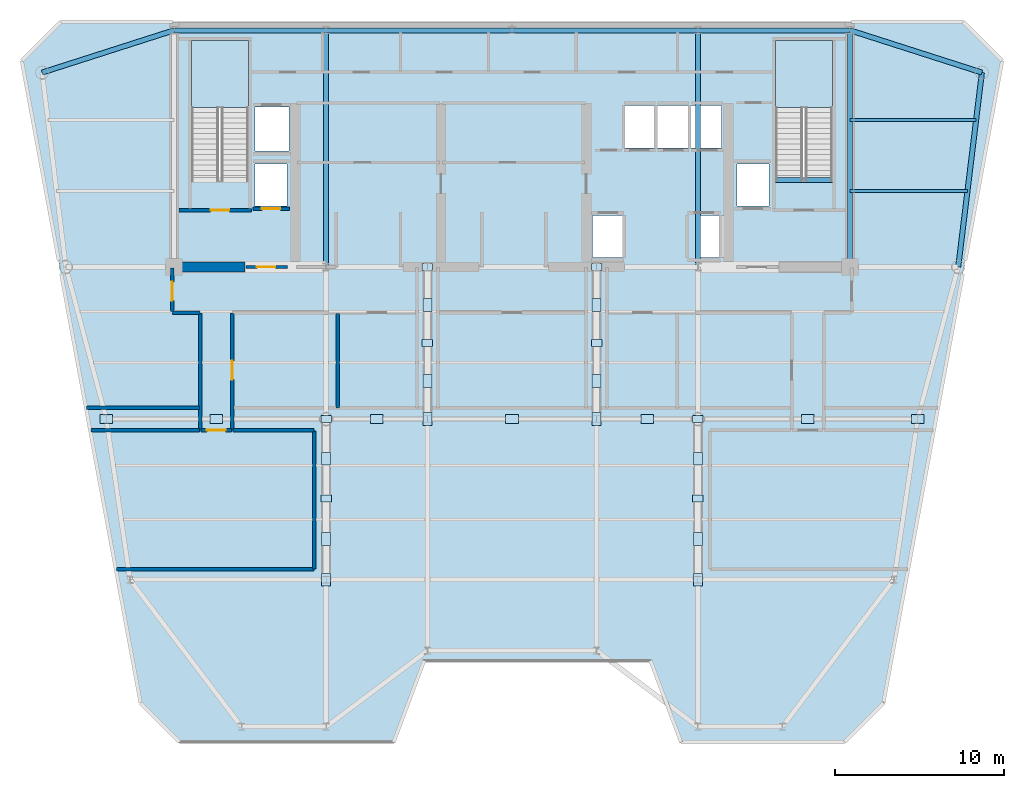
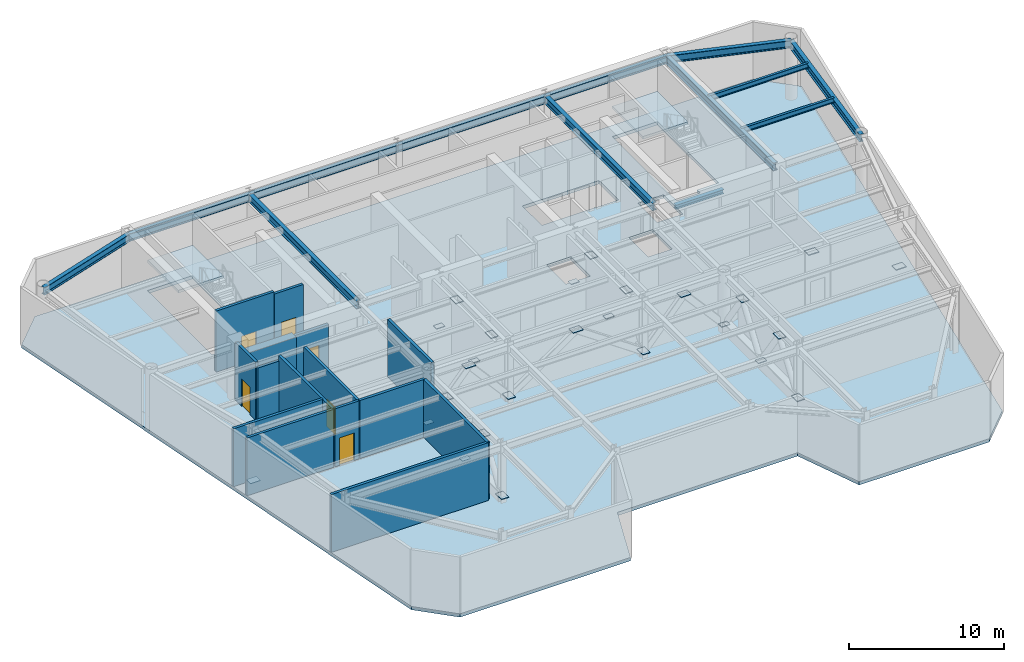
# One storey, part 3 of 9: 27 plates, 15 walls, 13 beams, 6 doors, 3 slabs, 6 openings, 2 elements without a shape of their own.
"""IFC4 building model written with IfcOpenShell, lengths in metres."""

from ifc_helpers import new_model, si_unit, direction, frame, frame_2d, origin, origin_2d, place, context, subcontext, project, spatial, polyline, rectangle, i_section, outline, extrude, source, transform, mapped, material, layer, layer_set, material_profile, profile_set, type_object, element, fill, aggregate, save


model = new_model("IFC4")

# Units and contexts
model_context = context("Model", 3, precision=1e-05, world=origin(), true_north=direction((0.0, 1.0)))
body_context = subcontext(model_context, "Body", "Model", "MODEL_VIEW")
ifc_project = project(units=[si_unit("LENGTHUNIT", "METRE"), si_unit("AREAUNIT", "SQUARE_METRE"), si_unit("VOLUMEUNIT", "CUBIC_METRE"), si_unit("PLANEANGLEUNIT", "RADIAN"), si_unit("MASSUNIT", "GRAM", prefix="KILO")], contexts=[model_context])

# Site, building, storey
site_placement = place(None, origin())
site = spatial("IfcSite", under=ifc_project, at=site_placement, CompositionType="ELEMENT")
building_placement = place(site_placement, origin())
building = spatial("IfcBuilding", under=site, at=building_placement, Name="Vaeldorn Concourse Tower", CompositionType="ELEMENT")
storey_placement = place(building_placement, frame((0.0, 0.0, 218.39990234375)))
storey = spatial("IfcBuildingStorey", under=building, at=storey_placement, Name="L56", CompositionType="ELEMENT", Elevation=218.39990234375)

# Beams
ifc_material_1 = material(Name="Steel S355", Category="steel")
ifc_material_profile_1 = material_profile(ifc_material_1, i_section(OverallWidth=0.300048828125, OverallDepth=0.340087890625, WebThickness=0.011962890625, FlangeThickness=0.021484375, FilletRadius=0.027099609375, at=origin_2d()), Name="HEB 340")
ifc_profile_set_1 = profile_set([ifc_material_profile_1], Name="Steel S355")
beam_type_1 = type_object("IfcBeamType", Name="BM-ST-TRIM", PredefinedType="BEAM", material=ifc_profile_set_1)
shared_shape_1 = source(origin(), body_context, "Body", "SweptSolid", [
    extrude(i_section(OverallWidth=0.300048828125, OverallDepth=0.340087890625, WebThickness=0.011962890625, FlangeThickness=0.021484375, FilletRadius=0.027099609375, at=origin_2d()), origin(), (0.0, 0.0, 1.0), 3.590087890625),
])
beam_1_placement = place(storey_placement, frame((49.47998046875, 41.639892578125, -0.429931640625), z_axis=(1.0, 0.0, 0.0), x_axis=(0.0, 1.0, 0.0)))
element("IfcBeam", 1, at=beam_1_placement, inside=storey, type_object=beam_type_1, Name="Stair Landing Trimmer Beam ST-2 L56", PredefinedType="BEAM", context=body_context, shape_type="MappedRepresentation", body=[
    mapped(shared_shape_1, transform((0.0, 0.0, 0.0), scale=1.0)),
])
ifc_material_profile_2 = material_profile(ifc_material_1, i_section(OverallWidth=0.300048828125, OverallDepth=0.60009765625, WebThickness=0.015380859375, FlangeThickness=0.030029296875, FilletRadius=0.027099609375, at=origin_2d()), Name="HEB 600")
ifc_profile_set_2 = profile_set([ifc_material_profile_2], Name="Steel S355")
beam_type_2 = type_object("IfcBeamType", Name="BM-PG-HEB600", PredefinedType="BEAM", material=ifc_profile_set_2)
shared_shape_2 = source(origin(), body_context, "Body", "SweptSolid", [
    extrude(i_section(OverallWidth=0.300048828125, OverallDepth=0.60009765625, WebThickness=0.015380859375, FlangeThickness=0.030029296875, FilletRadius=0.027099609375, at=origin_2d()), origin(), (0.0, 0.0, 1.0), 9.0),
])
for number, where, z_axis, x_axis, name in (
    (2, (14.0, 50.5, 4.239990234375), (1.0, 0.0, 0.0), (0.0, 1.0, 0.0), "Beam BM-L56-C-HC1-C-HC2"),
    (3, (45.0, 50.5, 4.239990234375), (1.0, 0.0, 0.0), (0.0, 1.0, 0.0), "Beam BM-L56-C-HC4-C-HC5"),
):
    element("IfcBeam", number, at=place(storey_placement, frame(where, z_axis=z_axis, x_axis=x_axis)), inside=storey, type_object=beam_type_2, Name=name, PredefinedType="BEAM", context=body_context, shape_type="MappedRepresentation", body=[
        mapped(shared_shape_2, transform((0.0, 0.0, 0.0), scale=1.0)),
    ])
shared_shape_3 = source(origin(), body_context, "Body", "SweptSolid", [
    extrude(i_section(OverallWidth=0.300048828125, OverallDepth=0.60009765625, WebThickness=0.015380859375, FlangeThickness=0.030029296875, FilletRadius=0.027099609375, at=origin_2d()), origin(), (0.0, 0.0, 1.0), 11.0),
])
for number, where, z_axis, x_axis, name in (
    (4, (23.0, 50.5, 4.239990234375), (1.0, 0.0, 0.0), (0.0, 1.0, 0.0), "Beam BM-L56-C-HC2-C-HC3"),
    (5, (34.0, 50.5, 4.239990234375), (1.0, 0.0, 0.0), (0.0, 1.0, 0.0), "Beam BM-L56-C-HC3-C-HC4"),
):
    element("IfcBeam", number, at=place(storey_placement, frame(where, z_axis=z_axis, x_axis=x_axis)), inside=storey, type_object=beam_type_2, Name=name, PredefinedType="BEAM", context=body_context, shape_type="MappedRepresentation", body=[
        mapped(shared_shape_3, transform((0.0, 0.0, 0.0), scale=1.0)),
    ])
shared_shape_4 = source(origin(), body_context, "Body", "SweptSolid", [
    extrude(i_section(OverallWidth=0.300048828125, OverallDepth=0.60009765625, WebThickness=0.015380859375, FlangeThickness=0.030029296875, FilletRadius=0.027099609375, at=origin_2d()), origin(), (0.0, 0.0, 1.0), 14.0),
])
for number, where, z_axis, x_axis, name in (
    (6, (23.0, 36.5, 4.239990234375), (0.0, 1.0, 0.0), (-1.0, 0.0, 0.0), "Beam BM-L56-C-FC2-C-HC2"),
    (7, (45.0, 36.5, 4.239990234375), (0.0, 1.0, 0.0), (-1.0, 0.0, 0.0), "Beam BM-L56-C-FC5-C-HC4"),
    (8, (54.0, 36.5, 4.239990234375), (0.0, 1.0, 0.0), (-1.0, 0.0, 0.0), "Beam BM-L56-C-FC6-C-HC5"),
):
    element("IfcBeam", number, at=place(storey_placement, frame(where, z_axis=z_axis, x_axis=x_axis)), inside=storey, type_object=beam_type_2, Name=name, PredefinedType="BEAM", context=body_context, shape_type="MappedRepresentation", body=[
        mapped(shared_shape_4, transform((0.0, 0.0, 0.0), scale=1.0)),
    ])
shared_shape_5 = source(origin(), body_context, "Body", "SweptSolid", [
    extrude(i_section(OverallWidth=0.300048828125, OverallDepth=0.60009765625, WebThickness=0.015380859375, FlangeThickness=0.030029296875, FilletRadius=0.027099609375, at=origin_2d()), origin(), (0.0, 0.0, 1.0), 8.19091796875),
])
for number, where, z_axis, x_axis, name in (
    (9, (6.199951171875, 48.0, 4.239990234375), (0.952282843383, 0.305216949396, 0.0), (-0.305216949396, 0.952282843383, 0.0), "Beam BM-L56-C-NW1-C-HC1"),
    (10, (54.0, 50.5, 4.239990234375), (0.952282843383, -0.305216949396, 0.0), (0.305216949396, 0.952282843383, 0.0), "Beam BM-L56-C-HC5-C-NE1"),
):
    element("IfcBeam", number, at=place(storey_placement, frame(where, z_axis=z_axis, x_axis=x_axis)), inside=storey, type_object=beam_type_2, Name=name, PredefinedType="BEAM", context=body_context, shape_type="MappedRepresentation", body=[
        mapped(shared_shape_5, transform((0.0, 0.0, 0.0), scale=1.0)),
    ])
shared_shape_6 = source(origin(), body_context, "Body", "SweptSolid", [
    extrude(i_section(OverallWidth=0.300048828125, OverallDepth=0.60009765625, WebThickness=0.015380859375, FlangeThickness=0.030029296875, FilletRadius=0.027099609375, at=origin_2d()), origin(), (0.0, 0.0, 1.0), 11.5849609375),
])
beam_2_placement = place(storey_placement, frame((61.800048828125, 48.0, 4.239990234375), z_axis=(-0.120859382899, -0.992669637677, 0.0), x_axis=(0.992669637677, -0.120859382899, 0.0)))
element("IfcBeam", 11, at=beam_2_placement, inside=storey, type_object=beam_type_2, Name="Beam BM-L56-C-NE1-C-NE2", PredefinedType="BEAM", context=body_context, shape_type="MappedRepresentation", body=[
    mapped(shared_shape_6, transform((0.0, 0.0, 0.0), scale=1.0)),
])
ifc_material_profile_3 = material_profile(ifc_material_1, i_section(OverallWidth=0.179931640625, OverallDepth=0.39990234375, WebThickness=0.008544921875, FlangeThickness=0.013427734375, FilletRadius=0.02099609375, at=origin_2d()), Name="IPE 400")
ifc_profile_set_3 = profile_set([ifc_material_profile_3], Name="Steel S355")
beam_type_3 = type_object("IfcBeamType", Name="BM-JS-IPE400", PredefinedType="JOIST", material=ifc_profile_set_3)
shared_shape_7 = source(origin(), body_context, "Body", "SweptSolid", [
    extrude(i_section(OverallWidth=0.179931640625, OverallDepth=0.39990234375, WebThickness=0.008544921875, FlangeThickness=0.013427734375, FilletRadius=0.02099609375, at=origin_2d()), origin(), (0.0, 0.0, 1.0), 6.94775390625),
])
beam_3_placement = place(storey_placement, frame((54.0, 41.0, 4.340087890625), z_axis=(1.0, 0.0, 0.0), x_axis=(0.0, 1.0, 0.0)))
element("IfcBeam", 12, at=beam_3_placement, inside=storey, type_object=beam_type_3, Name="Beam JS-L56-NE-410", PredefinedType="JOIST", context=body_context, shape_type="MappedRepresentation", body=[
    mapped(shared_shape_7, transform((0.0, 0.0, 0.0), scale=1.0)),
])
shared_shape_8 = source(origin(), body_context, "Body", "SweptSolid", [
    extrude(i_section(OverallWidth=0.179931640625, OverallDepth=0.39990234375, WebThickness=0.008544921875, FlangeThickness=0.013427734375, FilletRadius=0.02099609375, at=origin_2d()), origin(), (0.0, 0.0, 1.0), 7.458984375),
])
beam_4_placement = place(storey_placement, frame((54.0, 45.199951171875, 4.340087890625), z_axis=(1.0, 0.0, 0.0), x_axis=(0.0, 1.0, 0.0)))
element("IfcBeam", 13, at=beam_4_placement, inside=storey, type_object=beam_type_3, Name="Beam JS-L56-NE-452", PredefinedType="JOIST", context=body_context, shape_type="MappedRepresentation", body=[
    mapped(shared_shape_8, transform((0.0, 0.0, 0.0), scale=1.0)),
])

# Stair, slab
ifc_material_2 = material(Name="Precast concrete C40/50", Category="concrete")
stair_type = type_object("IfcStairType", Name="STR-DOG-30x160", PredefinedType="HALF_TURN_STAIR", material=ifc_material_2)
stair_1_placement = place(storey_placement, origin())
stair_1 = element("IfcStair", 14, at=stair_1_placement, inside=storey, type_object=stair_type, Name="L56 West Core Exit Stair ST-1", PredefinedType="HALF_TURN_STAIR")
ifc_material_3 = material(Name="Concrete C40/50", Category="concrete")
ifc_layer_1 = layer(ifc_material_3, 0.199951171875)
ifc_layer_set_1 = layer_set([ifc_layer_1], Name="Concrete C40/50")
slab_type_1 = type_object("IfcSlabType", Name="SL-STAIR-LANDING", PredefinedType="LANDING", material=ifc_layer_set_1)
slab_1_placement = place(storey_placement, frame((0.0, 0.0, 2.2001953125)))
slab_1 = element("IfcSlab", 15, at=slab_1_placement, type_object=slab_type_1, Name="ST-1 landing 1", PredefinedType="LANDING", context=body_context, shape_type="SweptSolid", body=[
    extrude(outline(polyline([(18.39990234375, 45.93994140625), (18.39990234375, 49.89990234375), (15.050048828125, 49.89990234375), (15.050048828125, 45.93994140625), (18.39990234375, 45.93994140625)])), origin(), (0.0, 0.0, 1.0), 0.199951171875),
])
aggregate(stair_1, [slab_1])

stair_2_placement = place(storey_placement, origin())
stair_2 = element("IfcStair", 16, at=stair_2_placement, inside=storey, type_object=stair_type, Name="L56 East Core Exit Stair ST-2", PredefinedType="HALF_TURN_STAIR")
slab_2_placement = place(storey_placement, frame((0.0, 0.0, 2.2001953125)))
slab_2 = element("IfcSlab", 17, at=slab_2_placement, type_object=slab_type_1, Name="ST-2 landing 1", PredefinedType="LANDING", context=body_context, shape_type="SweptSolid", body=[
    extrude(outline(polyline([(52.949951171875, 45.93994140625), (52.949951171875, 49.89990234375), (49.60009765625, 49.89990234375), (49.60009765625, 45.93994140625), (52.949951171875, 45.93994140625)])), origin(), (0.0, 0.0, 1.0), 0.199951171875),
])
aggregate(stair_2, [slab_2])

# Slab
ifc_layer_2 = layer(ifc_material_3, 0.260009765625)
ifc_layer_set_2 = layer_set([ifc_layer_2], Name="Concrete C40/50")
slab_type_2 = type_object("IfcSlabType", Name="SL-TRN-260", PredefinedType="FLOOR", material=ifc_layer_set_2)
slab_3_placement = place(storey_placement, frame((0.0, 0.0, -0.260009765625)))
element("IfcSlab", 18, at=slab_3_placement, inside=storey, type_object=slab_type_2, Name="Structural Floor Slab L56", PredefinedType="FLOOR", context=body_context, shape_type="SweptSolid", body=[
    extrude(outline(polyline([(14.3291015625, 8.39990234375), (27.0, 8.39990234375), (28.800048828125, 13.199951171875), (42.199951171875, 13.199951171875), (44.0, 8.39990234375), (53.6708984375, 8.39990234375), (55.970947265625, 10.699951171875), (63.0, 48.699951171875), (60.699951171875, 51.0), (7.300048828125, 51.0), (5.0, 48.699951171875), (12.029052734375, 10.699951171875), (14.3291015625, 8.39990234375)]), holes=[polyline([(18.39990234375, 42.0), (18.39990234375, 49.89990234375), (15.050048828125, 49.89990234375), (15.050048828125, 41.60009765625), (16.800048828125, 41.60009765625), (16.800048828125, 42.0), (18.39990234375, 42.0)]), polyline([(52.949951171875, 42.0), (52.949951171875, 49.89990234375), (49.60009765625, 49.89990234375), (49.60009765625, 41.60009765625), (51.35009765625, 41.60009765625), (51.35009765625, 42.0), (52.949951171875, 42.0)]), polyline([(38.75, 37.050048828125), (40.550048828125, 37.050048828125), (40.550048828125, 39.550048828125), (38.75, 39.550048828125), (38.75, 37.050048828125)]), polyline([(44.85009765625, 37.050048828125), (46.64990234375, 37.050048828125), (46.64990234375, 39.550048828125), (44.85009765625, 39.550048828125), (44.85009765625, 37.050048828125)]), polyline([(40.699951171875, 43.550048828125), (46.39990234375, 43.550048828125), (46.39990234375, 46.050048828125), (40.699951171875, 46.050048828125), (40.699951171875, 43.550048828125)]), polyline([(18.800048828125, 43.35009765625), (20.800048828125, 43.35009765625), (20.800048828125, 45.949951171875), (18.800048828125, 45.949951171875), (18.800048828125, 43.35009765625)]), polyline([(18.800048828125, 40.10009765625), (20.699951171875, 40.10009765625), (20.699951171875, 42.60009765625), (18.800048828125, 42.60009765625), (18.800048828125, 40.10009765625)]), polyline([(47.300048828125, 40.10009765625), (49.199951171875, 40.10009765625), (49.199951171875, 42.60009765625), (47.300048828125, 42.60009765625), (47.300048828125, 40.10009765625)])]), origin(), (0.0, 0.0, 1.0), 0.260009765625),
])

# Plates
ifc_material_4 = material(Name="Steel S460", Category="steel")
ifc_layer_3 = layer(ifc_material_4, 0.0400390625)
ifc_layer_set_3 = layer_set([ifc_layer_3], Name="Steel S460")
plate_type_1 = type_object("IfcPlateType", Name="PL-GUSSET-ON1", PredefinedType="USERDEFINED", material=ifc_layer_set_3)
shared_shape_9 = source(origin(), body_context, "Body", "SweptSolid", [
    extrude(rectangle(XDim=0.75, YDim=0.550048828125, at=origin_2d()), origin(), (0.0, 0.0, 1.0), 0.0400390625),
])
for number, where, z_axis, x_axis, name in (
    (19, (23.0, 25.14990234375, 3.8701171875), (0.0, 0.0, 1.0), (0.0, 1.0, 0.0), "Outrigger Node Gusset ON1-L56.1.1"),
    (20, (23.0, 20.39990234375, 3.8701171875), (0.0, 0.0, 1.0), (0.0, 1.0, 0.0), "Outrigger Node Gusset ON1-L56.1.2"),
    (21, (29.0, 34.25, 3.8701171875), (0.0, 0.0, 1.0), (0.0, 1.0, 0.0), "Outrigger Node Gusset ON1-L56.2.1"),
    (22, (29.0, 29.75, 3.8701171875), (0.0, 0.0, 1.0), (0.0, 1.0, 0.0), "Outrigger Node Gusset ON1-L56.2.2"),
    (23, (39.0, 34.25, 3.8701171875), (0.0, 0.0, 1.0), (0.0, 1.0, 0.0), "Outrigger Node Gusset ON1-L56.3.1"),
    (24, (39.0, 29.75, 3.8701171875), (0.0, 0.0, 1.0), (0.0, 1.0, 0.0), "Outrigger Node Gusset ON1-L56.3.2"),
    (25, (45.0, 25.14990234375, 3.8701171875), (0.0, 0.0, 1.0), (0.0, 1.0, 0.0), "Outrigger Node Gusset ON1-L56.4.1"),
    (26, (45.0, 20.39990234375, 3.8701171875), (0.0, 0.0, 1.0), (0.0, 1.0, 0.0), "Outrigger Node Gusset ON1-L56.4.2"),
    (27, (23.0, 18.0, 0.43017578125), (0.0, 0.0, 1.0), (0.0, 1.0, 0.0), "Structural Brace Connection Gusset L56-01"),
    (28, (29.0, 27.5, 0.43017578125), (0.0, 0.0, 1.0), (0.0, 1.0, 0.0), "Structural Brace Connection Gusset L56-02"),
    (29, (39.0, 27.5, 0.43017578125), (0.0, 0.0, 1.0), (0.0, 1.0, 0.0), "Structural Brace Connection Gusset L56-03"),
    (30, (45.0, 18.0, 0.43017578125), (0.0, 0.0, 1.0), (0.0, 1.0, 0.0), "Structural Brace Connection Gusset L56-04"),
    (31, (10.0, 27.5, 0.43017578125), (0.0, 0.0, 1.0), (1.0, 0.0, 0.0), "Structural Brace Connection Gusset L56-05"),
    (32, (16.5, 27.5, 3.8701171875), (0.0, 0.0, 1.0), (1.0, 0.0, 0.0), "Structural Brace Connection Gusset L56-06"),
    (33, (26.0, 27.5, 3.8701171875), (0.0, 0.0, 1.0), (1.0, 0.0, 0.0), "Structural Brace Connection Gusset L56-07"),
    (34, (34.0, 27.5, 3.8701171875), (0.0, 0.0, 1.0), (1.0, 0.0, 0.0), "Structural Brace Connection Gusset L56-08"),
    (35, (42.0, 27.5, 3.8701171875), (0.0, 0.0, 1.0), (1.0, 0.0, 0.0), "Structural Brace Connection Gusset L56-09"),
    (36, (51.5, 27.5, 3.8701171875), (0.0, 0.0, 1.0), (1.0, 0.0, 0.0), "Structural Brace Connection Gusset L56-10"),
    (37, (58.0, 27.5, 0.43017578125), (0.0, 0.0, 1.0), (1.0, 0.0, 0.0), "Structural Brace Connection Gusset L56-11"),
):
    element("IfcPlate", number, at=place(storey_placement, frame(where, z_axis=z_axis, x_axis=x_axis)), inside=storey, type_object=plate_type_1, Name=name, ObjectType="GUSSET PLATE", PredefinedType="USERDEFINED", context=body_context, shape_type="MappedRepresentation", body=[
        mapped(shared_shape_9, transform((0.0, 0.0, 0.0), scale=1.0)),
    ])
ifc_layer_4 = layer(ifc_material_4, 0.02490234375)
ifc_layer_set_4 = layer_set([ifc_layer_4], Name="Steel S460")
plate_type_2 = type_object("IfcPlateType", Name="PL-ENDCAP-EC1", PredefinedType="SHEET", material=ifc_layer_set_4)
shared_shape_10 = source(origin(), body_context, "Body", "SweptSolid", [
    extrude(rectangle(XDim=0.6201171875, YDim=0.419921875, at=origin_2d()), origin(), (0.0, 0.0, 1.0), 0.02490234375),
])
for number, where, z_axis, x_axis, name in (
    (38, (23.0, 27.5, 0.437744140625), (0.0, 0.0, 1.0), (1.0, 0.0, 0.0), "Hollow Section End Cap Plate EC1-L56.1.1"),
    (39, (23.0, 22.800048828125, 0.437744140625), (0.0, 0.0, 1.0), (1.0, 0.0, 0.0), "Hollow Section End Cap Plate EC1-L56.1.2"),
    (40, (29.0, 36.5, 0.437744140625), (0.0, 0.0, 1.0), (1.0, 0.0, 0.0), "Hollow Section End Cap Plate EC1-L56.2.1"),
    (41, (29.0, 32.0, 0.437744140625), (0.0, 0.0, 1.0), (1.0, 0.0, 0.0), "Hollow Section End Cap Plate EC1-L56.2.2"),
    (42, (39.0, 36.5, 0.437744140625), (0.0, 0.0, 1.0), (1.0, 0.0, 0.0), "Hollow Section End Cap Plate EC1-L56.3.1"),
    (43, (39.0, 32.0, 0.437744140625), (0.0, 0.0, 1.0), (1.0, 0.0, 0.0), "Hollow Section End Cap Plate EC1-L56.3.2"),
    (44, (45.0, 27.5, 0.437744140625), (0.0, 0.0, 1.0), (1.0, 0.0, 0.0), "Hollow Section End Cap Plate EC1-L56.4.1"),
    (45, (45.0, 22.800048828125, 0.437744140625), (0.0, 0.0, 1.0), (1.0, 0.0, 0.0), "Hollow Section End Cap Plate EC1-L56.4.2"),
):
    element("IfcPlate", number, at=place(storey_placement, frame(where, z_axis=z_axis, x_axis=x_axis)), inside=storey, type_object=plate_type_2, Name=name, PredefinedType="SHEET", context=body_context, shape_type="MappedRepresentation", body=[
        mapped(shared_shape_10, transform((0.0, 0.0, 0.0), scale=1.0)),
    ])

# Wall
ifc_material_5 = material(Name="Concrete C50/60", Category="concrete")
ifc_layer_5 = layer(ifc_material_5, 0.60009765625)
ifc_layer_set_5 = layer_set([ifc_layer_5], Name="Concrete C50/60")
wall_type_1 = type_object("IfcWallType", Name="WL-CORE-600", PredefinedType="SHEAR", material=ifc_layer_set_5)
wall_1_placement = place(storey_placement, frame((14.320068359375, 36.5, 0.0), z_axis=(0.0, 0.0, 1.0), x_axis=(1.0, 0.0, 0.0)))
element("IfcWall", 46, at=wall_1_placement, inside=storey, type_object=wall_type_1, Name="Rear Core Shear Wall L56 S1", PredefinedType="SHEAR", context=body_context, shape_type="SweptSolid", body=[
    extrude(rectangle(XDim=3.8798828125, YDim=0.60009765625, at=frame_2d((1.93994140625, 0.0))), origin(), (0.0, 0.0, 1.0), 3.5400390625),
])

# Wall, opening, door
ifc_layer_6 = layer(ifc_material_5, 0.199951171875)
ifc_layer_set_6 = layer_set([ifc_layer_6], Name="Concrete C50/60")
wall_type_2 = type_object("IfcWallType", Name="WL-SHAFT-200", PredefinedType="SOLIDWALL", material=ifc_layer_set_6)
wall_2_placement = place(storey_placement, frame((14.300048828125, 39.85009765625, 0.0), z_axis=(0.0, 0.0, 1.0), x_axis=(1.0, 0.0, 0.0)))
wall_2 = element("IfcWall", 47, at=wall_2_placement, inside=storey, type_object=wall_type_2, Name="Stair Shaft Wall CW-L56-ST-1-S", PredefinedType="SOLIDWALL", context=body_context, shape_type="SweptSolid", body=[
    extrude(rectangle(XDim=4.300048828125, YDim=0.199951171875, at=frame_2d((2.14990234375, 0.0))), origin(), (0.0, 0.0, 1.0), 4.800048828125),
])
opening_1_placement = place(wall_2_placement, frame((1.875, 0.0, 0.0)))
opening_1 = element("IfcOpeningElement", 48, at=opening_1_placement, cuts=wall_2, Name="Opening D-01", PredefinedType="OPENING", context=body_context, shape_type="SweptSolid", body=[
    extrude(rectangle(XDim=1.10009765625, YDim=2.14990234375, at=frame_2d((0.550048828125, 1.074951171875))), frame((0.0, 0.10986328125, 0.0), z_axis=(0.0, -1.0, 0.0), x_axis=(1.0, 0.0, 0.0)), (0.0, 0.0, 1.0), 0.219970703125),
])
ifc_material_6 = material(Name="Fire-Rated Timber and Steel Leaf", Category="steel")
door_type_1 = type_object("IfcDoorType", Name="DR-FD60-1100", OperationType="NOTDEFINED", PredefinedType="DOOR", material=ifc_material_6)
shared_shape_11 = source(origin(), body_context, "Body", "SweptSolid", [
    extrude(rectangle(XDim=1.10009765625, YDim=2.14990234375, at=frame_2d((0.550048828125, 1.074951171875))), frame((0.0, 0.02490234375, 0.0), z_axis=(0.0, -1.0, 0.0), x_axis=(1.0, 0.0, 0.0)), (0.0, 0.0, 1.0), 0.050048828125),
])
door_1_placement = place(opening_1_placement, origin())
door_1 = element("IfcDoor", 49, at=door_1_placement, inside=storey, type_object=door_type_1, Name="Interior Door DR-L56-ST-1", OperationType="SINGLE_SWING_LEFT", OverallHeight=2.14990234375, OverallWidth=1.10009765625, PredefinedType="DOOR", context=body_context, shape_type="MappedRepresentation", body=[
    mapped(shared_shape_11, transform((0.0, 0.0, 0.0), scale=1.0)),
])
fill(opening_1, door_1)

wall_3_placement = place(storey_placement, frame((18.25, 36.5, 0.0), z_axis=(0.0, 0.0, 1.0), x_axis=(1.0, 0.0, 0.0)))
wall_3 = element("IfcWall", 50, at=wall_3_placement, inside=storey, type_object=wall_type_2, Name="Interior Wall CW-L56-FF1S", PredefinedType="SOLIDWALL", context=body_context, shape_type="SweptSolid", body=[
    extrude(rectangle(XDim=2.469970703125, YDim=0.199951171875, at=frame_2d((1.23486328125, 0.0))), origin(), (0.0, 0.0, 1.0), 3.530029296875),
])
opening_2_placement = place(wall_3_placement, frame((0.64990234375, 0.0, 0.0)))
opening_2 = element("IfcOpeningElement", 51, at=opening_2_placement, cuts=wall_3, Name="Opening D-01", PredefinedType="OPENING", context=body_context, shape_type="SweptSolid", body=[
    extrude(rectangle(XDim=1.10009765625, YDim=2.14990234375, at=frame_2d((0.550048828125, 1.074951171875))), frame((0.0, 0.10986328125, 0.0), z_axis=(0.0, -1.0, 0.0), x_axis=(1.0, 0.0, 0.0)), (0.0, 0.0, 1.0), 0.219970703125),
])
door_2_placement = place(opening_2_placement, origin())
door_2 = element("IfcDoor", 52, at=door_2_placement, inside=storey, type_object=door_type_1, Name="Interior Door DR-L56-FF1E", OperationType="SINGLE_SWING_RIGHT", OverallHeight=2.14990234375, OverallWidth=1.10009765625, PredefinedType="DOOR", context=body_context, shape_type="MappedRepresentation", body=[
    mapped(shared_shape_11, transform((0.0, 0.0, 0.0), scale=1.0)),
])
fill(opening_2, door_2)

wall_4_placement = place(storey_placement, frame((18.669921875, 39.949951171875, 0.0), z_axis=(0.0, 0.0, 1.0), x_axis=(1.0, 0.0, 0.0)))
wall_4 = element("IfcWall", 53, at=wall_4_placement, inside=storey, type_object=wall_type_2, Name="Interior Wall CW-L56-LF-LF-FF1", PredefinedType="SOLIDWALL", context=body_context, shape_type="SweptSolid", body=[
    extrude(rectangle(XDim=2.16015625, YDim=0.199951171875, at=frame_2d((1.080078125, 0.0))), origin(), (0.0, 0.0, 1.0), 4.5400390625),
])
opening_3_placement = place(wall_4_placement, frame((0.530029296875, 0.0, 0.0)))
opening_3 = element("IfcOpeningElement", 54, at=opening_3_placement, cuts=wall_4, Name="Opening LD-1", PredefinedType="OPENING", context=body_context, shape_type="SweptSolid", body=[
    extrude(rectangle(XDim=1.10009765625, YDim=2.14990234375, at=frame_2d((0.550048828125, 1.074951171875))), frame((0.0, 0.10986328125, 0.0), z_axis=(0.0, -1.0, 0.0), x_axis=(1.0, 0.0, 0.0)), (0.0, 0.0, 1.0), 0.219970703125),
])
ifc_material_7 = material(Name="Anodised Bronze Aluminium", Category="aluminium")
door_type_2 = type_object("IfcDoorType", Name="DR-LIFT-SLIDE-1100", OperationType="DOUBLE_DOOR_SLIDING", PredefinedType="DOOR", material=ifc_material_7)
door_3_placement = place(opening_3_placement, origin())
door_3 = element("IfcDoor", 55, at=door_3_placement, inside=storey, type_object=door_type_2, Name="Lift Landing Door LD-L56-LF-FF1", OperationType="DOUBLE_DOOR_SLIDING", OverallHeight=2.14990234375, OverallWidth=1.10009765625, PredefinedType="DOOR", context=body_context, shape_type="MappedRepresentation", body=[
    mapped(shared_shape_11, transform((0.0, 0.0, 0.0), scale=1.0)),
])
fill(opening_3, door_3)

# Wall
wall_5_placement = place(storey_placement, frame((13.89990234375, 33.800048828125, 0.0), z_axis=(0.0, 0.0, 1.0), x_axis=(1.0, 0.0, 0.0)))
element("IfcWall", 56, at=wall_5_placement, inside=storey, type_object=wall_type_2, Name="Interior Wall PW-L56-PCW1", PredefinedType="SOLIDWALL", context=body_context, shape_type="SweptSolid", body=[
    extrude(rectangle(XDim=1.650146484375, YDim=0.199951171875, at=frame_2d((0.8251953125, 0.0))), origin(), (0.0, 0.0, 1.0), 4.130126953125),
])

# Wall, opening, door
wall_6_placement = place(storey_placement, frame((13.89990234375, 33.860107421875, 0.0), z_axis=(0.0, 0.0, 1.0), x_axis=(0.0, 1.0, 0.0)))
wall_6 = element("IfcWall", 57, at=wall_6_placement, inside=storey, type_object=wall_type_2, Name="Interior Wall PW-L56-RNW", PredefinedType="SOLIDWALL", context=body_context, shape_type="SweptSolid", body=[
    extrude(rectangle(XDim=2.579833984375, YDim=0.199951171875, at=frame_2d((1.2900390625, 0.0))), origin(), (0.0, 0.0, 1.0), 4.5400390625),
])
opening_4_placement = place(wall_6_placement, frame((0.64990234375, 0.0, 0.0)))
opening_4 = element("IfcOpeningElement", 58, at=opening_4_placement, cuts=wall_6, Name="Opening D-01", PredefinedType="OPENING", context=body_context, shape_type="SweptSolid", body=[
    extrude(rectangle(XDim=1.10009765625, YDim=2.14990234375, at=frame_2d((0.550048828125, 1.074951171875))), frame((0.0, 0.10986328125, 0.0), z_axis=(0.0, -1.0, 0.0), x_axis=(1.0, 0.0, 0.0)), (0.0, 0.0, 1.0), 0.219970703125),
])
door_4_placement = place(opening_4_placement, origin())
door_4 = element("IfcDoor", 59, at=door_4_placement, inside=storey, type_object=door_type_1, Name="Interior Door DR-L56-REF1", OperationType="SINGLE_SWING_LEFT", OverallHeight=2.14990234375, OverallWidth=1.10009765625, PredefinedType="DOOR", context=body_context, shape_type="MappedRepresentation", body=[
    mapped(shared_shape_11, transform((0.0, 0.0, 0.0), scale=1.0)),
])
fill(opening_4, door_4)

# Wall
wall_7_placement = place(storey_placement, frame((15.56005859375, 26.840087890625, 0.0), z_axis=(0.0, 0.0, 1.0), x_axis=(0.0, 1.0, 0.0)))
element("IfcWall", 60, at=wall_7_placement, inside=storey, type_object=wall_type_2, Name="Interior Wall PW-L56-SPWW", PredefinedType="SOLIDWALL", context=body_context, shape_type="SweptSolid", body=[
    extrude(rectangle(XDim=6.919921875, YDim=0.199951171875, at=frame_2d((3.4599609375, 0.0))), origin(), (0.0, 0.0, 1.0), 4.5400390625),
])

# Wall, opening, door
wall_8_placement = place(storey_placement, frame((17.43994140625, 26.840087890625, 0.0), z_axis=(0.0, 0.0, 1.0), x_axis=(0.0, 1.0, 0.0)))
wall_8 = element("IfcWall", 61, at=wall_8_placement, inside=storey, type_object=wall_type_2, Name="Interior Wall PW-L56-SPWE", PredefinedType="SOLIDWALL", context=body_context, shape_type="SweptSolid", body=[
    extrude(rectangle(XDim=6.919921875, YDim=0.199951171875, at=frame_2d((3.4599609375, 0.0))), origin(), (0.0, 0.0, 1.0), 4.5400390625),
])
opening_5_placement = place(wall_8_placement, frame((3.0, 0.0, 0.0)))
opening_5 = element("IfcOpeningElement", 62, at=opening_5_placement, cuts=wall_8, Name="Opening D-01", PredefinedType="OPENING", context=body_context, shape_type="SweptSolid", body=[
    extrude(rectangle(XDim=1.10009765625, YDim=2.14990234375, at=frame_2d((0.550048828125, 1.074951171875))), frame((0.0, 0.10986328125, 0.0), z_axis=(0.0, -1.0, 0.0), x_axis=(1.0, 0.0, 0.0)), (0.0, 0.0, 1.0), 0.219970703125),
])
door_5_placement = place(opening_5_placement, origin())
door_5 = element("IfcDoor", 63, at=door_5_placement, inside=storey, type_object=door_type_1, Name="Interior Door DR-L56-REF1B", OperationType="SINGLE_SWING_RIGHT", OverallHeight=2.14990234375, OverallWidth=1.10009765625, PredefinedType="DOOR", context=body_context, shape_type="MappedRepresentation", body=[
    mapped(shared_shape_11, transform((0.0, 0.0, 0.0), scale=1.0)),
])
fill(opening_5, door_5)

wall_9_placement = place(storey_placement, frame((15.60009765625, 26.840087890625, 0.0), z_axis=(0.0, 0.0, 1.0), x_axis=(1.0, 0.0, 0.0)))
wall_9 = element("IfcWall", 64, at=wall_9_placement, inside=storey, type_object=wall_type_2, Name="Interior Wall PW-L56-SPWS", PredefinedType="SOLIDWALL", context=body_context, shape_type="SweptSolid", body=[
    extrude(rectangle(XDim=1.7998046875, YDim=0.199951171875, at=frame_2d((0.89990234375, 0.0))), origin(), (0.0, 0.0, 1.0), 4.5400390625),
])
opening_6_placement = place(wall_9_placement, frame((0.35009765625, 0.0, 0.0)))
opening_6 = element("IfcOpeningElement", 65, at=opening_6_placement, cuts=wall_9, Name="Opening D-01", PredefinedType="OPENING", context=body_context, shape_type="SweptSolid", body=[
    extrude(rectangle(XDim=1.10009765625, YDim=2.14990234375, at=frame_2d((0.550048828125, 1.074951171875))), frame((0.0, 0.10986328125, 0.0), z_axis=(0.0, -1.0, 0.0), x_axis=(1.0, 0.0, 0.0)), (0.0, 0.0, 1.0), 0.219970703125),
])
door_6_placement = place(opening_6_placement, origin())
door_6 = element("IfcDoor", 66, at=door_6_placement, inside=storey, type_object=door_type_1, Name="Interior Door DR-L56-REF3", OperationType="SINGLE_SWING_LEFT", OverallHeight=2.14990234375, OverallWidth=1.10009765625, PredefinedType="DOOR", context=body_context, shape_type="MappedRepresentation", body=[
    mapped(shared_shape_11, transform((0.0, 0.0, 0.0), scale=1.0)),
])
fill(opening_6, door_6)

# Walls
wall_10_placement = place(storey_placement, frame((23.679931640625, 28.159912109375, 0.0), z_axis=(0.0, 0.0, 1.0), x_axis=(0.0, 1.0, 0.0)))
element("IfcWall", 67, at=wall_10_placement, inside=storey, type_object=wall_type_2, Name="Interior Wall PW-L56-PL1W", PredefinedType="SOLIDWALL", context=body_context, shape_type="SweptSolid", body=[
    extrude(rectangle(XDim=5.60009765625, YDim=0.199951171875, at=frame_2d((2.800048828125, 0.0))), origin(), (0.0, 0.0, 1.0), 4.5400390625),
])
wall_11_placement = place(storey_placement, frame((8.83935546875, 28.159912109375, 0.0), z_axis=(0.0, 0.0, 1.0), x_axis=(1.0, 0.0, 0.0)))
element("IfcWall", 68, at=wall_11_placement, inside=storey, type_object=wall_type_2, Name="Interior Wall PW-L56-BTN1", PredefinedType="SOLIDWALL", context=body_context, shape_type="SweptSolid", body=[
    extrude(rectangle(XDim=6.6806640625, YDim=0.199951171875, at=frame_2d((3.34033203125, 0.0))), origin(), (0.0, 0.0, 1.0), 4.5400390625),
])
wall_12_placement = place(storey_placement, frame((9.08349609375, 26.840087890625, 0.0), z_axis=(0.0, 0.0, 1.0), x_axis=(1.0, 0.0, 0.0)))
element("IfcWall", 69, at=wall_12_placement, inside=storey, type_object=wall_type_2, Name="Interior Wall PW-L56-BTSW1", PredefinedType="SOLIDWALL", context=body_context, shape_type="SweptSolid", body=[
    extrude(rectangle(XDim=6.4365234375, YDim=0.199951171875, at=frame_2d((3.21826171875, 0.0))), origin(), (0.0, 0.0, 1.0), 4.5400390625),
])
wall_13_placement = place(storey_placement, frame((17.47998046875, 26.840087890625, 0.0), z_axis=(0.0, 0.0, 1.0), x_axis=(1.0, 0.0, 0.0)))
element("IfcWall", 70, at=wall_13_placement, inside=storey, type_object=wall_type_2, Name="Interior Wall PW-L56-BTSW2", PredefinedType="SOLIDWALL", context=body_context, shape_type="SweptSolid", body=[
    extrude(rectangle(XDim=4.820068359375, YDim=0.199951171875, at=frame_2d((2.41015625, 0.0))), origin(), (0.0, 0.0, 1.0), 4.5400390625),
])
wall_14_placement = place(storey_placement, frame((22.300048828125, 18.6201171875, 0.0), z_axis=(0.0, 0.0, 1.0), x_axis=(0.0, 1.0, 0.0)))
element("IfcWall", 71, at=wall_14_placement, inside=storey, type_object=wall_type_2, Name="Interior Wall PW-L56-OT1W", PredefinedType="SOLIDWALL", context=body_context, shape_type="SweptSolid", body=[
    extrude(rectangle(XDim=8.179931640625, YDim=0.199951171875, at=frame_2d((4.08984375, 0.0))), origin(), (0.0, 0.0, 1.0), 4.5400390625),
])
wall_15_placement = place(storey_placement, frame((10.60400390625, 18.6201171875, 0.0), z_axis=(0.0, 0.0, 1.0), x_axis=(1.0, 0.0, 0.0)))
element("IfcWall", 72, at=wall_15_placement, inside=storey, type_object=wall_type_2, Name="Interior Wall PW-L56-S18W", PredefinedType="SOLIDWALL", context=body_context, shape_type="SweptSolid", body=[
    extrude(rectangle(XDim=11.696044921875, YDim=0.199951171875, at=frame_2d((5.84814453125, 0.0))), origin(), (0.0, 0.0, 1.0), 4.5400390625),
])

save(model, "model.ifc")
